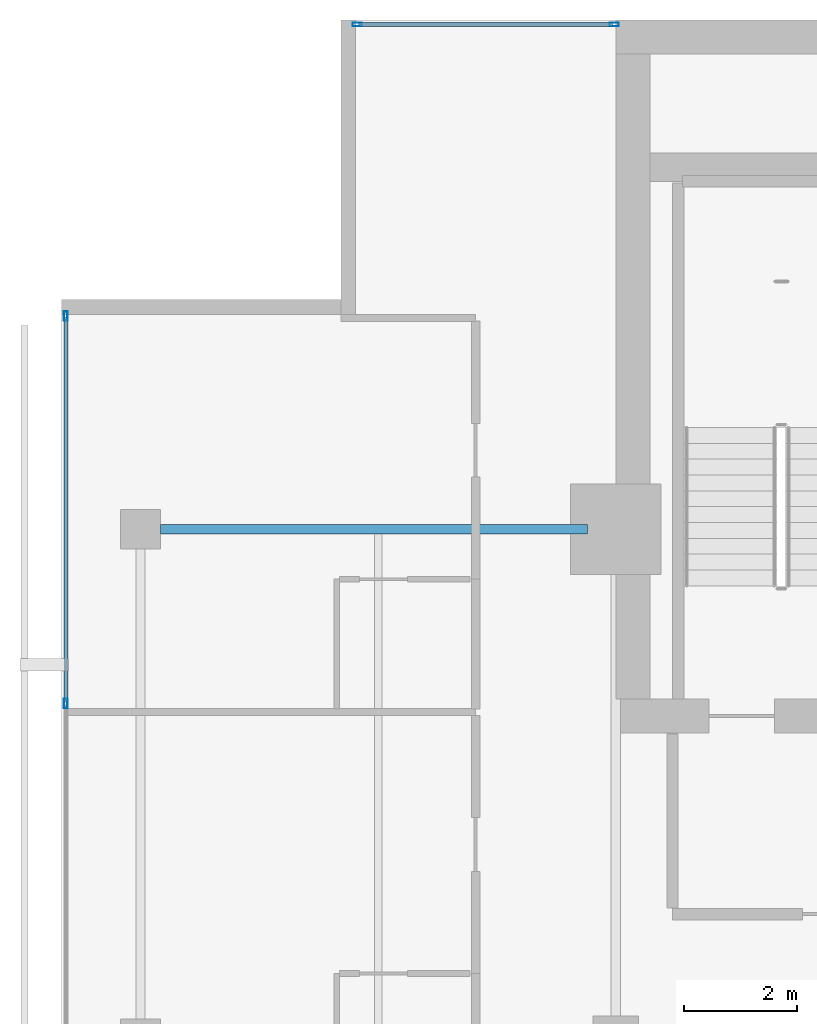
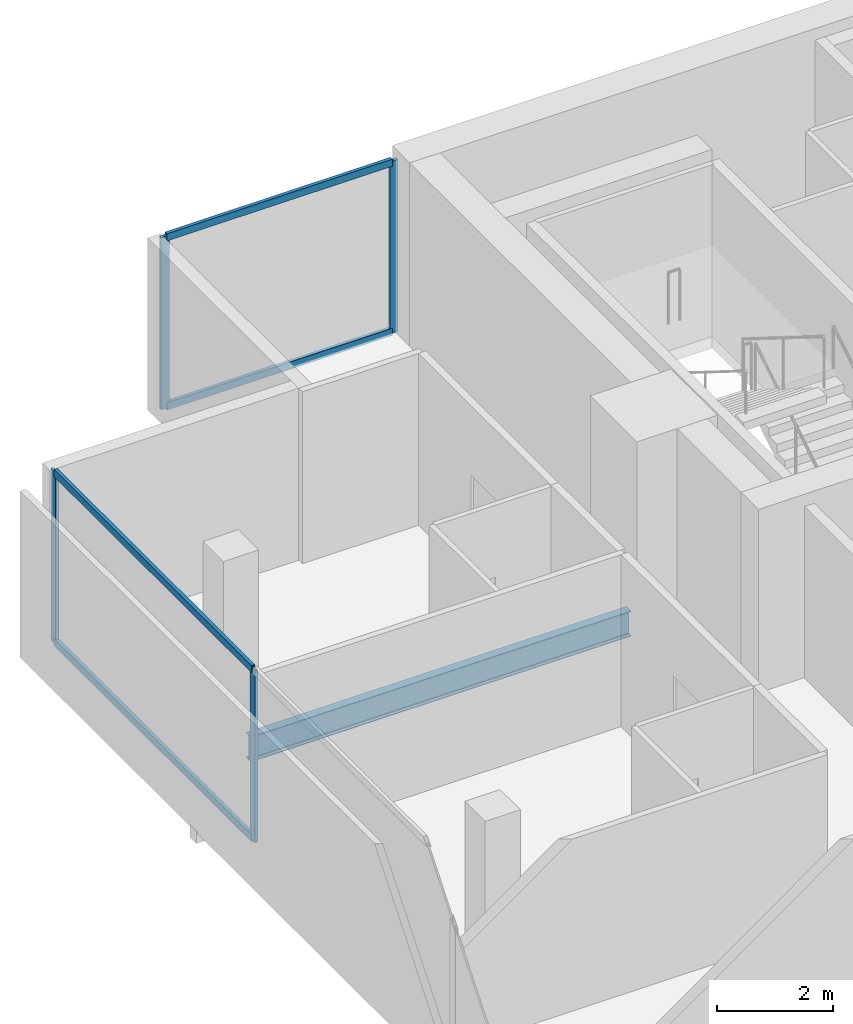
# One storey, part 16 of 25: 8 members, 1 beam, 2 elements without a shape of their own.
"""IFC4 building model written with IfcOpenShell, lengths in metres."""

import ifcopenshell
import ifcopenshell.guid

model = None  # the IFC model being written
_history = None  # IfcOwnerHistory: only IFC2X3 demands one
_inside = {}  # id of a spatial element -> (the spatial element, [elements in it])
_under = {}  # id of a project, library or spatial element -> (it, [spatial elements below it])
_declared = {}  # id of a project -> (the project, [libraries it declares])
_typed = {}  # id of a type object -> (the type object, [elements of that type])
_made_of = {}  # id of a material, layer set ... -> (it, [elements and type objects made of it])


def new_model(schema):
    """Start an empty IFC model of exactly this schema.

    Asked for "IFC4X3", IfcOpenShell would pick the latest addendum, in which some entities
    have other attributes; the version numbers below select the first issue.
    IFC2X3 requires an IfcOwnerHistory on every rooted entity: one is made here for all.
    """
    global model, _history
    if schema == "IFC4X3":
        model = ifcopenshell.file(schema_version=(4, 3, 0, 0))
    else:
        model = ifcopenshell.file(schema=schema)
    _inside.clear()
    _under.clear()
    _declared.clear()
    _typed.clear()
    _made_of.clear()
    _history = None
    if model.schema == "IFC2X3":
        org = make("IfcOrganization", Name="unknown")
        user = make(
            "IfcPersonAndOrganization",
            ThePerson=make("IfcPerson", FamilyName="unknown"),
            TheOrganization=org,
        )
        app = make(
            "IfcApplication",
            ApplicationDeveloper=org,
            Version="unknown",
            ApplicationFullName="unknown",
            ApplicationIdentifier="unknown",
        )
        _history = make(
            "IfcOwnerHistory",
            OwningUser=user,
            OwningApplication=app,
            ChangeAction="ADDED",
            CreationDate=0,
        )
    return model


def make(cls, **values):
    """One entity of the class cls with the attributes given. An attribute that is None is left unset."""
    return model.create_entity(
        cls, **{name: value for name, value in values.items() if value is not None}
    )


def rooted(cls, **values):
    """An entity with a GlobalId (a new one), such as an element, a storey or a relation."""
    return make(cls, GlobalId=ifcopenshell.guid.new(), OwnerHistory=_history, **values)


def si_unit(unit_type, name, prefix=None):
    """IfcSIUnit, for example si_unit("LENGTHUNIT", "METRE", prefix="MILLI")."""
    return make("IfcSIUnit", UnitType=unit_type, Prefix=prefix, Name=name)


def assignment(units):
    """IfcUnitAssignment: the units of a project."""
    return None if units is None else make("IfcUnitAssignment", Units=units)


def point(xyz):
    """IfcCartesianPoint."""
    return None if xyz is None else make("IfcCartesianPoint", Coordinates=xyz)


def direction(xyz):
    """IfcDirection."""
    return None if xyz is None else make("IfcDirection", DirectionRatios=xyz)


def frame(location, z_axis=None, x_axis=None):
    """IfcAxis2Placement3D, a coordinate frame: its origin and axes. An axis left out is left unset."""
    return make(
        "IfcAxis2Placement3D",
        Location=point(location),
        Axis=direction(z_axis),
        RefDirection=direction(x_axis),
    )


def frame_2d(location, x_axis=None):
    """IfcAxis2Placement2D, a coordinate frame in the plane: its origin and x axis."""
    return make(
        "IfcAxis2Placement2D", Location=point(location), RefDirection=direction(x_axis)
    )


def origin():
    """The frame at (0, 0, 0) with its axes left unset."""
    return frame((0.0, 0.0, 0.0))


def origin_2d():
    """The frame at (0, 0) in the plane with its x axis left unset."""
    return frame_2d((0.0, 0.0))


def place(relative_to, where):
    """IfcLocalPlacement: puts the frame where relative to a parent placement (None: the world)."""
    return make(
        "IfcLocalPlacement", PlacementRelTo=relative_to, RelativePlacement=where
    )


def context(
    kind, dimensions, precision=None, world=None, true_north=None, identifier=None
):
    """IfcGeometricRepresentationContext, for example the 3D "Model" context."""
    return make(
        "IfcGeometricRepresentationContext",
        ContextIdentifier=identifier,
        ContextType=kind,
        CoordinateSpaceDimension=dimensions,
        Precision=precision,
        WorldCoordinateSystem=world,
        TrueNorth=true_north,
    )


def subcontext(parent, identifier, kind, view, scale=None):
    """IfcGeometricRepresentationSubContext, for example "Body" below "Model"."""
    return make(
        "IfcGeometricRepresentationSubContext",
        ContextIdentifier=identifier,
        ContextType=kind,
        ParentContext=parent,
        TargetScale=scale,
        TargetView=view,
    )


def project(units=None, contexts=None):
    """IfcProject with its units and contexts."""
    return rooted(
        "IfcProject",
        Name="project",
        RepresentationContexts=contexts,
        UnitsInContext=assignment(units),
    )


def spatial(cls, under=None, at=None, **own):
    """A site, building, storey or space (cls), placed at a placement, below another one or the project."""
    s = rooted(cls, ObjectPlacement=at, **own)
    if under is not None:
        _under.setdefault(under.id(), (under, []))[1].append(s)
    return s


def profile(cls, at=None, kind="AREA", **sizes):
    """A parametric profile (cls). Its sizes go by their IFC names, for example OverallWidth=200.0."""
    return make(cls, ProfileType=kind, Position=at, **sizes)


def hollow_rectangle(**sizes):
    """IfcRectangleHollowProfileDef."""
    return profile("IfcRectangleHollowProfileDef", **sizes)


def i_section(**sizes):
    """IfcIShapeProfileDef."""
    return profile("IfcIShapeProfileDef", **sizes)


def extrude(swept, where, along, depth):
    """IfcExtrudedAreaSolid: the profile swept, set in the frame where, extruded along a direction by depth."""
    return make(
        "IfcExtrudedAreaSolid",
        SweptArea=swept,
        Position=where,
        ExtrudedDirection=direction(along),
        Depth=depth,
    )


def shape(context_of_items, identifier, shape_type, items):
    """IfcShapeRepresentation: the items that make up one representation, for example the "Body"."""
    return make(
        "IfcShapeRepresentation",
        ContextOfItems=context_of_items,
        RepresentationIdentifier=identifier,
        RepresentationType=shape_type,
        Items=items,
    )


def material(Name=None, Category=None):
    """IfcMaterial."""
    return make("IfcMaterial", Name=Name, Category=Category)


def layer(
    of_material, thickness, ventilated=None, Name=None, Category=None, Priority=None
):
    """IfcMaterialLayer: one layer of a wall or slab, of a material (None: an air gap)."""
    return make(
        "IfcMaterialLayer",
        Material=of_material,
        LayerThickness=thickness,
        IsVentilated=ventilated,
        Name=Name,
        Category=Category,
        Priority=Priority,
    )


def layer_set(layers, Name=None):
    """IfcMaterialLayerSet."""
    return make("IfcMaterialLayerSet", MaterialLayers=layers, LayerSetName=Name)


def material_profile(
    of_material, cross_section, Name=None, Category=None, Priority=None
):
    """IfcMaterialProfile: a cross section and its material."""
    return make(
        "IfcMaterialProfile",
        Name=Name,
        Material=of_material,
        Profile=cross_section,
        Priority=Priority,
        Category=Category,
    )


def profile_set(profiles, Name=None, composite=None):
    """IfcMaterialProfileSet."""
    return make(
        "IfcMaterialProfileSet",
        Name=Name,
        MaterialProfiles=profiles,
        CompositeProfile=composite,
    )


def made_of(thing, what):
    """Note that an element or type object is made of a material, layer set ...; save() writes the relation."""
    if what is not None:
        _made_of.setdefault(what.id(), (what, []))[1].append(thing)
    return thing


def type_object(cls, material=None, **own):
    """A type object (cls), such as IfcWallType, which elements share."""
    return made_of(rooted(cls, **own), material)


def element(
    cls,
    number,
    at=None,
    inside=None,
    cuts=None,
    type_object=None,
    material=None,
    context=None,
    identifier="Body",
    shape_type=None,
    held_by="IfcProductDefinitionShape",
    body=None,
    shapes=None,
    **own,
):
    """One element of the class cls, such as IfcWall. Its Tag is "e" and its number.

    at: its placement. inside: the storey or other place that contains it. cuts: it is an
    opening in that element (IfcRelVoidsElement). A single representation is given by context,
    identifier, shape_type and body (its items); several are given by shapes. held_by: the class
    of the entity that holds the representations. save() writes the other relations.
    """
    e = rooted(cls, Tag="e%d" % number, ObjectPlacement=at, **own)
    if body is not None:
        shapes = [shape(context, identifier, shape_type, body)]
    if shapes is not None:
        e.Representation = make(held_by, Representations=shapes)
    if inside is not None:
        _inside.setdefault(inside.id(), (inside, []))[1].append(e)
    if cuts is not None:
        rooted(
            "IfcRelVoidsElement", RelatingBuildingElement=cuts, RelatedOpeningElement=e
        )
    if type_object is not None:
        _typed.setdefault(type_object.id(), (type_object, []))[1].append(e)
    return made_of(e, material)


def aggregate(whole, parts):
    """IfcRelAggregates: a whole, such as a stair, and the parts it consists of."""
    return rooted("IfcRelAggregates", RelatingObject=whole, RelatedObjects=parts)


def save(model, path):
    """Write the relations noted so far, then the file.

    IfcRelAggregates (storeys below a building ...), IfcRelContainedInSpatialStructure (elements
    in a storey), IfcRelDefinesByType, IfcRelAssociatesMaterial and IfcRelDeclares: one each for
    every whole, place, type object, material and project.
    """
    for whole, parts in _under.values():
        aggregate(whole, parts)
    for where, things in _inside.values():
        rooted(
            "IfcRelContainedInSpatialStructure",
            RelatedElements=things,
            RelatingStructure=where,
        )
    for kind, things in _typed.values():
        rooted("IfcRelDefinesByType", RelatedObjects=things, RelatingType=kind)
    for what, things in _made_of.values():
        rooted("IfcRelAssociatesMaterial", RelatedObjects=things, RelatingMaterial=what)
    for by, libraries in _declared.values():
        rooted("IfcRelDeclares", RelatingContext=by, RelatedDefinitions=libraries)
    model.write(path)


model = new_model("IFC4")

# Units and contexts
model_context = context("Model", 3, precision=1e-05, world=origin(), true_north=direction((0.0, 1.0)))
body_context = subcontext(model_context, "Body", "Model", "MODEL_VIEW")
ifc_project = project(units=[si_unit("LENGTHUNIT", "METRE"), si_unit("AREAUNIT", "SQUARE_METRE"), si_unit("VOLUMEUNIT", "CUBIC_METRE"), si_unit("PLANEANGLEUNIT", "RADIAN"), si_unit("MASSUNIT", "GRAM", prefix="KILO")], contexts=[model_context])

# Site, building, storey
site_placement = place(None, origin())
site = spatial("IfcSite", under=ifc_project, at=site_placement, CompositionType="ELEMENT")
building_placement = place(site_placement, origin())
building = spatial("IfcBuilding", under=site, at=building_placement, Name="Maruvema Waterfront Hotel and Observation Tower", CompositionType="ELEMENT")
storey_placement = place(building_placement, frame((0.0, 0.0, 304.85009765625)))
storey = spatial("IfcBuildingStorey", under=building, at=storey_placement, Name="L75", CompositionType="ELEMENT", Elevation=304.85009765625)

# Curtain wall, members
ifc_material_1 = material(Name="Anodised bronze aluminium and solar-control low-E IGU", Category="aluminium")
ifc_layer = layer(ifc_material_1, 0.159912109375, Name="Zone 3 Champagne Inner Thermal Curtain Wall System CW-04")
ifc_layer_set = layer_set([ifc_layer], Name="Anodised bronze aluminium and solar-control low-E IGU")
curtain_wall_type = type_object("IfcCurtainWallType", Name="Zone 3 Champagne Inner Thermal Curtain Wall System CW-04", PredefinedType="USERDEFINED", material=ifc_layer_set)
curtain_wall_1_placement = place(storey_placement, origin())
curtain_wall_1 = element("IfcCurtainWall", 1, at=curtain_wall_1_placement, inside=storey, type_object=curtain_wall_type, Name="L75 Curtain Wall CW-L75-W", ObjectType="UNITISED CURTAIN WALL", PredefinedType="USERDEFINED")
ifc_material_2 = material(Name="Anodised architectural bronze aluminium", Category="aluminium")
ifc_material_profile_1 = material_profile(ifc_material_2, hollow_rectangle(XDim=0.070068359375, YDim=0.14990234375, WallThickness=0.00390625, at=origin_2d()), Name="ALU-T70x150")
ifc_profile_set_1 = profile_set([ifc_material_profile_1], Name="Anodised architectural bronze aluminium")
member_type_1 = type_object("IfcMemberType", Name="Curtain Wall Horizontal Transom ALU-T70x150", PredefinedType="USERDEFINED", material=ifc_profile_set_1)
member_1_placement = place(storey_placement, frame((15.47998046875, 48.739990234375, 0.02978515625), z_axis=(0.0, -1.0, 0.0), x_axis=(1.0, 0.0, 0.0)))
member_1 = element("IfcMember", 2, at=member_1_placement, type_object=member_type_1, Name="CW-04 transom 1.1", ObjectType="TRANSOM", PredefinedType="USERDEFINED", context=body_context, shape_type="SweptSolid", body=[
    extrude(hollow_rectangle(XDim=0.070068359375, YDim=0.14990234375, WallThickness=0.00390625, at=origin_2d()), origin(), (0.0, 0.0, 1.0), 6.7900390625),
])
member_2_placement = place(storey_placement, frame((15.47998046875, 48.739990234375, 3.579833984375), z_axis=(0.0, -1.0, 0.0), x_axis=(1.0, 0.0, 0.0)))
member_2 = element("IfcMember", 3, at=member_2_placement, type_object=member_type_1, Name="CW-04 transom 1.2", ObjectType="TRANSOM", PredefinedType="USERDEFINED", context=body_context, shape_type="SweptSolid", body=[
    extrude(hollow_rectangle(XDim=0.070068359375, YDim=0.14990234375, WallThickness=0.00390625, at=origin_2d()), origin(), (0.0, 0.0, 1.0), 6.7900390625),
])

curtain_wall_2_placement = place(storey_placement, origin())
curtain_wall_2 = element("IfcCurtainWall", 4, at=curtain_wall_2_placement, inside=storey, type_object=curtain_wall_type, Name="L75 Curtain Wall CW-L75-NW", ObjectType="UNITISED CURTAIN WALL", PredefinedType="USERDEFINED")
member_3_placement = place(storey_placement, frame((25.139892578125, 53.919921875, 0.02978515625), z_axis=(-1.0, 0.0, 0.0), x_axis=(0.0, -1.0, 0.0)))
member_3 = element("IfcMember", 5, at=member_3_placement, type_object=member_type_1, Name="CW-04 transom 1.1", ObjectType="TRANSOM", PredefinedType="USERDEFINED", context=body_context, shape_type="SweptSolid", body=[
    extrude(hollow_rectangle(XDim=0.070068359375, YDim=0.14990234375, WallThickness=0.00390625, at=origin_2d()), origin(), (0.0, 0.0, 1.0), 4.47998046875),
])
member_4_placement = place(storey_placement, frame((25.139892578125, 53.919921875, 3.579833984375), z_axis=(-1.0, 0.0, 0.0), x_axis=(0.0, -1.0, 0.0)))
member_4 = element("IfcMember", 6, at=member_4_placement, type_object=member_type_1, Name="CW-04 transom 1.2", ObjectType="TRANSOM", PredefinedType="USERDEFINED", context=body_context, shape_type="SweptSolid", body=[
    extrude(hollow_rectangle(XDim=0.070068359375, YDim=0.14990234375, WallThickness=0.00390625, at=origin_2d()), origin(), (0.0, 0.0, 1.0), 4.47998046875),
])

# Member
ifc_material_3 = material(Name="Anodised architectural bronze aluminium", Category="aluminium")
ifc_material_profile_2 = material_profile(ifc_material_3, hollow_rectangle(XDim=0.06494140625, YDim=0.1650390625, WallThickness=0.00390625, at=origin_2d()), Name="ALU-M65x165")
ifc_profile_set_2 = profile_set([ifc_material_profile_2], Name="Anodised architectural bronze aluminium")
member_type_2 = type_object("IfcMemberType", Name="Curtain Wall Primary Mullion ALU-M65x165", PredefinedType="MULLION", material=ifc_profile_set_2)
member_5_placement = place(storey_placement, frame((15.47998046875, 48.77001953125, 0.0), z_axis=(0.0, 0.0, 1.0), x_axis=(1.0, 0.0, 0.0)))
member_5 = element("IfcMember", 7, at=member_5_placement, type_object=member_type_2, Name="CW-04 mullion 1", PredefinedType="MULLION", context=body_context, shape_type="SweptSolid", body=[
    extrude(hollow_rectangle(XDim=0.06494140625, YDim=0.1650390625, WallThickness=0.00390625, at=origin_2d()), origin(), (0.0, 0.0, 1.0), 3.60986328125),
])

member_6_placement = place(storey_placement, frame((15.47998046875, 41.919921875, 0.0), z_axis=(0.0, 0.0, 1.0), x_axis=(1.0, 0.0, 0.0)))
member_6 = element("IfcMember", 8, at=member_6_placement, type_object=member_type_2, Name="CW-04 mullion 2", PredefinedType="MULLION", context=body_context, shape_type="SweptSolid", body=[
    extrude(hollow_rectangle(XDim=0.06494140625, YDim=0.1650390625, WallThickness=0.00390625, at=origin_2d()), origin(), (0.0, 0.0, 1.0), 3.60986328125),
])

aggregate(curtain_wall_1, [member_5, member_6, member_1, member_2])

member_7_placement = place(storey_placement, frame((25.169921875, 53.919921875, 0.0), z_axis=(0.0, 0.0, 1.0), x_axis=(0.0, -1.0, 0.0)))
member_7 = element("IfcMember", 9, at=member_7_placement, type_object=member_type_2, Name="CW-04 mullion 1", PredefinedType="MULLION", context=body_context, shape_type="SweptSolid", body=[
    extrude(hollow_rectangle(XDim=0.06494140625, YDim=0.1650390625, WallThickness=0.00390625, at=origin_2d()), origin(), (0.0, 0.0, 1.0), 3.60986328125),
])

member_8_placement = place(storey_placement, frame((20.6298828125, 53.919921875, 0.0), z_axis=(0.0, 0.0, 1.0), x_axis=(0.0, -1.0, 0.0)))
member_8 = element("IfcMember", 10, at=member_8_placement, type_object=member_type_2, Name="CW-04 mullion 2", PredefinedType="MULLION", context=body_context, shape_type="SweptSolid", body=[
    extrude(hollow_rectangle(XDim=0.06494140625, YDim=0.1650390625, WallThickness=0.00390625, at=origin_2d()), origin(), (0.0, 0.0, 1.0), 3.60986328125),
])

aggregate(curtain_wall_2, [member_7, member_8, member_3, member_4])

# Beam
ifc_material_4 = material(Name="Steel ASTM A572 Grade 50", Category="steel")
ifc_material_profile_3 = material_profile(ifc_material_4, i_section(OverallWidth=0.166015625, OverallDepth=0.529052734375, WebThickness=0.009765625, FlangeThickness=0.013671875, FilletRadius=0.014892578125, at=origin_2d()), Name="W530x74.0")
ifc_profile_set_3 = profile_set([ifc_material_profile_3], Name="Steel ASTM A572 Grade 50")
beam_type = type_object("IfcBeamType", Name="Primary Floor Girder W530x74.0", PredefinedType="BEAM", material=ifc_profile_set_3)
beam_placement = place(storey_placement, frame((17.14990234375, 45.0, -0.504638671875), z_axis=(1.0, 0.0, 0.0), x_axis=(0.0, 1.0, 0.0)))
element("IfcBeam", 11, at=beam_placement, inside=storey, type_object=beam_type, Name="L75 Floor Girder EW-17", PredefinedType="BEAM", context=body_context, shape_type="SweptSolid", body=[
    extrude(i_section(OverallWidth=0.166015625, OverallDepth=0.529052734375, WebThickness=0.009765625, FlangeThickness=0.013671875, FilletRadius=0.014892578125, at=origin_2d()), origin(), (0.0, 0.0, 1.0), 7.550048828125),
])

save(model, "model.ifc")
